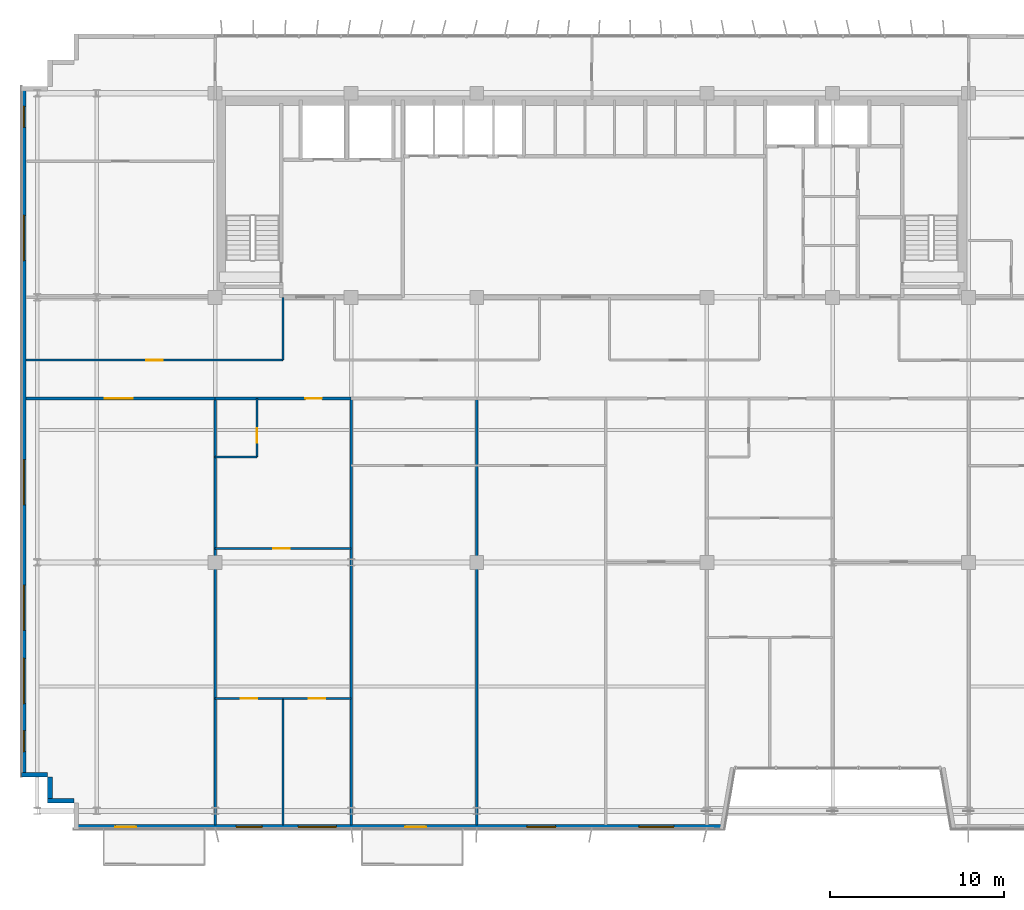
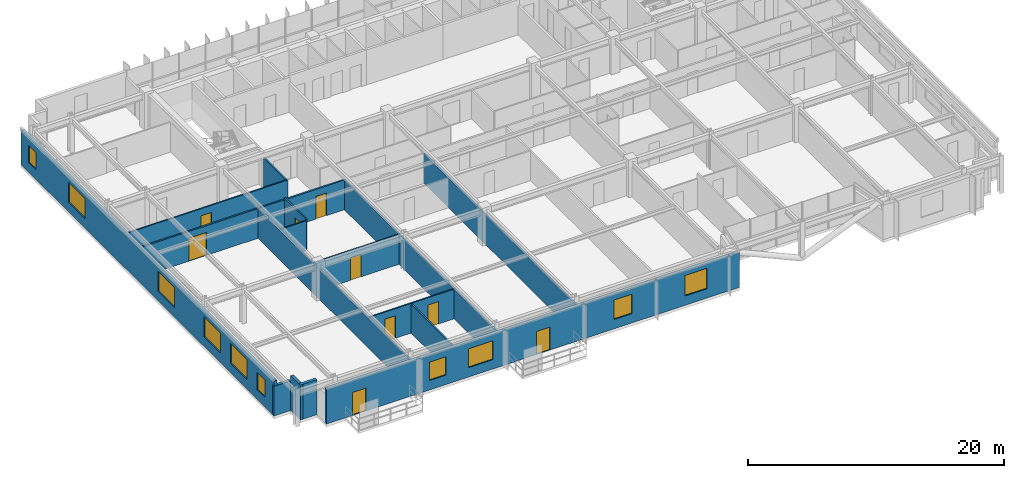
# One storey, part 19 of 26: 18 walls, 10 windows, 9 doors, 19 openings.
"""IFC4 building model written with IfcOpenShell, lengths in metres."""

from ifc_helpers import new_model, si_unit, direction, frame, frame_2d, origin, place, context, subcontext, project, spatial, rectangle, extrude, source, transform, mapped, material, layer, layer_set, type_object, element, fill, save


model = new_model("IFC4")

# Units and contexts
model_context = context("Model", 3, precision=1e-05, world=origin(), true_north=direction((0.0, 1.0)))
body_context = subcontext(model_context, "Body", "Model", "MODEL_VIEW")
ifc_project = project(units=[si_unit("LENGTHUNIT", "METRE"), si_unit("AREAUNIT", "SQUARE_METRE"), si_unit("VOLUMEUNIT", "CUBIC_METRE"), si_unit("PLANEANGLEUNIT", "RADIAN"), si_unit("MASSUNIT", "GRAM", prefix="KILO")], contexts=[model_context])

# Site, building, storey
site_placement = place(None, origin())
site = spatial("IfcSite", under=ifc_project, at=site_placement, CompositionType="ELEMENT")
building_placement = place(site_placement, origin())
building = spatial("IfcBuilding", under=site, at=building_placement, Name="Trelvane Seafront Commons", CompositionType="ELEMENT")
storey_placement = place(building_placement, frame((0.0, 0.0, 124.89990234375)))
storey = spatial("IfcBuildingStorey", under=building, at=storey_placement, Name="L32", CompositionType="ELEMENT", Elevation=124.89990234375)

# Walls
ifc_material_1 = material(Name="Precast concrete C40/50", Category="concrete")
ifc_layer_1 = layer(ifc_material_1, 0.260009765625, Name="ARCH-WALL-EXT260")
ifc_layer_set_1 = layer_set([ifc_layer_1], Name="Precast concrete C40/50")
wall_type_1 = type_object("IfcWallType", Name="ARCH-WALL-EXT260", PredefinedType="SOLIDWALL", material=ifc_layer_set_1)
for number, where, z_axis, x_axis, name in (
    (1, (7.5, 4.530029296875, 0.0), (0.0, 0.0, 1.0), (-1.0, 0.0, 0.0), "EW-L32-00607"),
    (2, (6.1298828125, 4.39990234375, 0.0), (0.0, 0.0, 1.0), (0.0, 1.0, 0.0), "EW-L32-00608"),
):
    element("IfcWall", number, at=place(storey_placement, frame(where, z_axis=z_axis, x_axis=x_axis)), inside=storey, type_object=wall_type_1, Name=name, PredefinedType="SOLIDWALL", context=body_context, shape_type="SweptSolid", body=[
        extrude(rectangle(XDim=1.5, YDim=0.260009765625, at=frame_2d((0.75, 0.0))), origin(), (0.0, 0.0, 1.0), 3.340087890625),
    ])
wall_1_placement = place(storey_placement, frame((6.0, 6.030029296875, 0.0), z_axis=(0.0, 0.0, 1.0), x_axis=(-1.0, 0.0, 0.0)))
element("IfcWall", 3, at=wall_1_placement, inside=storey, type_object=wall_type_1, Name="EW-L32-00609", PredefinedType="SOLIDWALL", context=body_context, shape_type="SweptSolid", body=[
    extrude(rectangle(XDim=1.5, YDim=0.260009765625, at=frame_2d((0.75, 0.0))), origin(), (0.0, 0.0, 1.0), 2.840087890625),
])

# Wall, openings, windows
wall_2_placement = place(storey_placement, frame((4.6298828125, 5.89990234375, 0.0), z_axis=(0.0, 0.0, 1.0), x_axis=(0.0, 1.0, 0.0)))
wall_2 = element("IfcWall", 4, at=wall_2_placement, inside=storey, type_object=wall_type_1, Name="EW-L32-00610", PredefinedType="SOLIDWALL", context=body_context, shape_type="SweptSolid", body=[
    extrude(rectangle(XDim=39.60009765625, YDim=0.260009765625, at=frame_2d((19.800048828125, 0.0))), origin(), (0.0, 0.0, 1.0), 3.340087890625),
])
opening_1_placement = place(wall_2_placement, frame((1.449951171875, 0.0, 0.919921875)))
opening_1 = element("IfcOpeningElement", 5, at=opening_1_placement, cuts=wall_2, Name="Opening W05", PredefinedType="OPENING", context=body_context, shape_type="SweptSolid", body=[
    extrude(rectangle(XDim=1.199951171875, YDim=1.64990234375, at=frame_2d((0.60009765625, 0.824951171875))), frame((0.0, 0.139892578125, 0.0), z_axis=(0.0, -1.0, 0.0), x_axis=(1.0, 0.0, 0.0)), (0.0, 0.0, 1.0), 0.280029296875),
])
opening_2_placement = place(wall_2_placement, frame((4.199951171875, 0.0, 0.919921875)))
opening_2 = element("IfcOpeningElement", 6, at=opening_2_placement, cuts=wall_2, Name="Opening W04", PredefinedType="OPENING", context=body_context, shape_type="SweptSolid", body=[
    extrude(rectangle(XDim=2.60009765625, YDim=1.89990234375, at=frame_2d((1.300048828125, 0.949951171875))), frame((0.0, 0.139892578125, 0.0), z_axis=(0.0, -1.0, 0.0), x_axis=(1.0, 0.0, 0.0)), (0.0, 0.0, 1.0), 0.280029296875),
])
opening_3_placement = place(wall_2_placement, frame((8.39990234375, 0.0, 0.919921875)))
opening_3 = element("IfcOpeningElement", 7, at=opening_3_placement, cuts=wall_2, Name="Opening W04", PredefinedType="OPENING", context=body_context, shape_type="SweptSolid", body=[
    extrude(rectangle(XDim=2.60009765625, YDim=1.89990234375, at=frame_2d((1.300048828125, 0.949951171875))), frame((0.0, 0.139892578125, 0.0), z_axis=(0.0, -1.0, 0.0), x_axis=(1.0, 0.0, 0.0)), (0.0, 0.0, 1.0), 0.280029296875),
])
opening_4_placement = place(wall_2_placement, frame((15.60009765625, 0.0, 0.919921875)))
opening_4 = element("IfcOpeningElement", 8, at=opening_4_placement, cuts=wall_2, Name="Opening W04", PredefinedType="OPENING", context=body_context, shape_type="SweptSolid", body=[
    extrude(rectangle(XDim=2.60009765625, YDim=1.89990234375, at=frame_2d((1.300048828125, 0.949951171875))), frame((0.0, 0.139892578125, 0.0), z_axis=(0.0, -1.0, 0.0), x_axis=(1.0, 0.0, 0.0)), (0.0, 0.0, 1.0), 0.280029296875),
])
opening_5_placement = place(wall_2_placement, frame((29.60009765625, 0.0, 0.919921875)))
opening_5 = element("IfcOpeningElement", 9, at=opening_5_placement, cuts=wall_2, Name="Opening W04", PredefinedType="OPENING", context=body_context, shape_type="SweptSolid", body=[
    extrude(rectangle(XDim=2.60009765625, YDim=1.89990234375, at=frame_2d((1.300048828125, 0.949951171875))), frame((0.0, 0.139892578125, 0.0), z_axis=(0.0, -1.0, 0.0), x_axis=(1.0, 0.0, 0.0)), (0.0, 0.0, 1.0), 0.280029296875),
])
opening_6_placement = place(wall_2_placement, frame((37.25, 0.0, 0.919921875)))
opening_6 = element("IfcOpeningElement", 10, at=opening_6_placement, cuts=wall_2, Name="Opening W05", PredefinedType="OPENING", context=body_context, shape_type="SweptSolid", body=[
    extrude(rectangle(XDim=1.199951171875, YDim=1.64990234375, at=frame_2d((0.60009765625, 0.824951171875))), frame((0.0, 0.139892578125, 0.0), z_axis=(0.0, -1.0, 0.0), x_axis=(1.0, 0.0, 0.0)), (0.0, 0.0, 1.0), 0.280029296875),
])
ifc_material_2 = material(Name="Low-E coastal double glazing", Category="glass")
window_type_1 = type_object("IfcWindowType", Name="ARCH-WIN-W04", PartitioningType="SINGLE_PANEL", PredefinedType="WINDOW", material=ifc_material_2)
shared_shape_1 = source(origin(), body_context, "Body", "SweptSolid", [
    extrude(rectangle(XDim=2.60009765625, YDim=1.89990234375, at=frame_2d((1.300048828125, 0.949951171875))), frame((0.0, 0.030029296875, 0.0), z_axis=(0.0, -1.0, 0.0), x_axis=(1.0, 0.0, 0.0)), (0.0, 0.0, 1.0), 0.06005859375),
])
window_1_placement = place(opening_2_placement, origin())
window_1 = element("IfcWindow", 11, at=window_1_placement, inside=storey, type_object=window_type_1, Name="WIN-L32-EW-00722", OverallHeight=1.89990234375, OverallWidth=2.60009765625, PartitioningType="SINGLE_PANEL", PredefinedType="WINDOW", context=body_context, shape_type="MappedRepresentation", body=[
    mapped(shared_shape_1, transform((0.0, 0.0, 0.0), x_axis=(1.0, 0.0, 0.0), y_axis=(0.0, 1.0, 0.0), z_axis=(0.0, 0.0, 1.0), scale=1.0)),
])
fill(opening_2, window_1)
window_2_placement = place(opening_3_placement, origin())
window_2 = element("IfcWindow", 12, at=window_2_placement, inside=storey, type_object=window_type_1, Name="WIN-L32-EW-00723", OverallHeight=1.89990234375, OverallWidth=2.60009765625, PartitioningType="SINGLE_PANEL", PredefinedType="WINDOW", context=body_context, shape_type="MappedRepresentation", body=[
    mapped(shared_shape_1, transform((0.0, 0.0, 0.0), x_axis=(1.0, 0.0, 0.0), y_axis=(0.0, 1.0, 0.0), z_axis=(0.0, 0.0, 1.0), scale=1.0)),
])
fill(opening_3, window_2)
window_3_placement = place(opening_4_placement, origin())
window_3 = element("IfcWindow", 13, at=window_3_placement, inside=storey, type_object=window_type_1, Name="WIN-L32-EW-00724", OverallHeight=1.89990234375, OverallWidth=2.60009765625, PartitioningType="SINGLE_PANEL", PredefinedType="WINDOW", context=body_context, shape_type="MappedRepresentation", body=[
    mapped(shared_shape_1, transform((0.0, 0.0, 0.0), x_axis=(1.0, 0.0, 0.0), y_axis=(0.0, 1.0, 0.0), z_axis=(0.0, 0.0, 1.0), scale=1.0)),
])
fill(opening_4, window_3)
window_4_placement = place(opening_5_placement, origin())
window_4 = element("IfcWindow", 14, at=window_4_placement, inside=storey, type_object=window_type_1, Name="WIN-L32-EW-00725", OverallHeight=1.89990234375, OverallWidth=2.60009765625, PartitioningType="SINGLE_PANEL", PredefinedType="WINDOW", context=body_context, shape_type="MappedRepresentation", body=[
    mapped(shared_shape_1, transform((0.0, 0.0, 0.0), x_axis=(1.0, 0.0, 0.0), y_axis=(0.0, 1.0, 0.0), z_axis=(0.0, 0.0, 1.0), scale=1.0)),
])
fill(opening_5, window_4)
window_type_2 = type_object("IfcWindowType", Name="ARCH-WIN-W05", PartitioningType="SINGLE_PANEL", PredefinedType="WINDOW", material=ifc_material_2)
shared_shape_2 = source(origin(), body_context, "Body", "SweptSolid", [
    extrude(rectangle(XDim=1.199951171875, YDim=1.64990234375, at=frame_2d((0.60009765625, 0.824951171875))), frame((0.0, 0.030029296875, 0.0), z_axis=(0.0, -1.0, 0.0), x_axis=(1.0, 0.0, 0.0)), (0.0, 0.0, 1.0), 0.06005859375),
])
window_5_placement = place(opening_1_placement, origin())
window_5 = element("IfcWindow", 15, at=window_5_placement, inside=storey, type_object=window_type_2, Name="WIN-L32-EW-00721", OverallHeight=1.64990234375, OverallWidth=1.199951171875, PartitioningType="SINGLE_PANEL", PredefinedType="WINDOW", context=body_context, shape_type="MappedRepresentation", body=[
    mapped(shared_shape_2, transform((0.0, 0.0, 0.0), x_axis=(1.0, 0.0, 0.0), y_axis=(0.0, 1.0, 0.0), z_axis=(0.0, 0.0, 1.0), scale=1.0)),
])
fill(opening_1, window_5)
window_6_placement = place(opening_6_placement, origin())
window_6 = element("IfcWindow", 16, at=window_6_placement, inside=storey, type_object=window_type_2, Name="WIN-L32-EW-00726", OverallHeight=1.64990234375, OverallWidth=1.199951171875, PartitioningType="SINGLE_PANEL", PredefinedType="WINDOW", context=body_context, shape_type="MappedRepresentation", body=[
    mapped(shared_shape_2, transform((0.0, 0.0, 0.0), x_axis=(1.0, 0.0, 0.0), y_axis=(0.0, 1.0, 0.0), z_axis=(0.0, 0.0, 1.0), scale=1.0)),
])
fill(opening_6, window_6)

# Wall, openings, doors, windows
wall_3_placement = place(storey_placement, frame((44.800048828125, 3.030029296875, 0.0), z_axis=(0.0, 0.0, 1.0), x_axis=(-1.0, 0.0, 0.0)))
wall_3 = element("IfcWall", 17, at=wall_3_placement, inside=storey, type_object=wall_type_1, Name="EW-L32-00627", PredefinedType="SOLIDWALL", context=body_context, shape_type="SweptSolid", body=[
    extrude(rectangle(XDim=37.300048828125, YDim=0.260009765625, at=frame_2d((18.64990234375, 0.0))), origin(), (0.0, 0.0, 1.0), 3.340087890625),
])
opening_7_placement = place(wall_3_placement, frame((2.89990234375, 0.0, 0.89990234375)))
opening_7 = element("IfcOpeningElement", 18, at=opening_7_placement, cuts=wall_3, Name="Opening W06", PredefinedType="OPENING", context=body_context, shape_type="SweptSolid", body=[
    extrude(rectangle(XDim=2.0, YDim=1.949951171875, at=frame_2d((1.0, 0.97509765625))), frame((0.0, 0.139892578125, 0.0), z_axis=(0.0, -1.0, 0.0), x_axis=(1.0, 0.0, 0.0)), (0.0, 0.0, 1.0), 0.280029296875),
])
opening_8_placement = place(wall_3_placement, frame((9.675048828125, 0.0, 0.89990234375)))
opening_8 = element("IfcOpeningElement", 19, at=opening_8_placement, cuts=wall_3, Name="Opening W07", PredefinedType="OPENING", context=body_context, shape_type="SweptSolid", body=[
    extrude(rectangle(XDim=1.64990234375, YDim=1.85009765625, at=frame_2d((0.824951171875, 0.925048828125))), frame((0.0, 0.139892578125, 0.0), z_axis=(0.0, -1.0, 0.0), x_axis=(1.0, 0.0, 0.0)), (0.0, 0.0, 1.0), 0.280029296875),
])
opening_9_placement = place(wall_3_placement, frame((17.10888671875, 0.0, 0.0)))
opening_9 = element("IfcOpeningElement", 20, at=opening_9_placement, cuts=wall_3, Name="Opening BD-L32-77", PredefinedType="OPENING", context=body_context, shape_type="SweptSolid", body=[
    extrude(rectangle(XDim=1.199951171875, YDim=2.199951171875, at=frame_2d((0.60009765625, 1.10009765625))), frame((0.0, 0.139892578125, 0.0), z_axis=(0.0, -1.0, 0.0), x_axis=(1.0, 0.0, 0.0)), (0.0, 0.0, 1.0), 0.280029296875),
])
opening_10_placement = place(wall_3_placement, frame((22.25, 0.0, 0.89990234375)))
opening_10 = element("IfcOpeningElement", 21, at=opening_10_placement, cuts=wall_3, Name="Opening W02", PredefinedType="OPENING", context=body_context, shape_type="SweptSolid", body=[
    extrude(rectangle(XDim=2.199951171875, YDim=1.800048828125, at=frame_2d((1.10009765625, 0.89990234375))), frame((0.0, 0.139892578125, 0.0), z_axis=(0.0, -1.0, 0.0), x_axis=(1.0, 0.0, 0.0)), (0.0, 0.0, 1.0), 0.280029296875),
])
opening_11_placement = place(wall_3_placement, frame((26.5, 0.0, 0.89990234375)))
opening_11 = element("IfcOpeningElement", 22, at=opening_11_placement, cuts=wall_3, Name="Opening W03", PredefinedType="OPENING", context=body_context, shape_type="SweptSolid", body=[
    extrude(rectangle(XDim=1.5, YDim=1.75, at=frame_2d((0.75, 0.875))), frame((0.0, 0.139892578125, 0.0), z_axis=(0.0, -1.0, 0.0), x_axis=(1.0, 0.0, 0.0)), (0.0, 0.0, 1.0), 0.280029296875),
])
opening_12_placement = place(wall_3_placement, frame((33.72705078125, 0.0, 0.0)))
opening_12 = element("IfcOpeningElement", 23, at=opening_12_placement, cuts=wall_3, Name="Opening BD-L32-78", PredefinedType="OPENING", context=body_context, shape_type="SweptSolid", body=[
    extrude(rectangle(XDim=1.199951171875, YDim=2.199951171875, at=frame_2d((0.60009765625, 1.10009765625))), frame((0.0, 0.139892578125, 0.0), z_axis=(0.0, -1.0, 0.0), x_axis=(1.0, 0.0, 0.0)), (0.0, 0.0, 1.0), 0.280029296875),
])
ifc_material_3 = material(Name="Powder-coated aluminium frame", Category="aluminium")
door_type_1 = type_object("IfcDoorType", Name="ARCH-DR-BAL1200", OperationType="NOTDEFINED", PredefinedType="DOOR", material=ifc_material_3)
shared_shape_3 = source(origin(), body_context, "Body", "SweptSolid", [
    extrude(rectangle(XDim=1.199951171875, YDim=2.199951171875, at=frame_2d((0.60009765625, 1.10009765625))), frame((0.0, 0.02490234375, 0.0), z_axis=(0.0, -1.0, 0.0), x_axis=(1.0, 0.0, 0.0)), (0.0, 0.0, 1.0), 0.050048828125),
])
door_1_placement = place(opening_9_placement, origin())
door_1 = element("IfcDoor", 24, at=door_1_placement, inside=storey, type_object=door_type_1, Name="L32 Balcony Terrace Access Door", OperationType="SINGLE_SWING_LEFT", OverallHeight=2.199951171875, OverallWidth=1.199951171875, PredefinedType="DOOR", context=body_context, shape_type="MappedRepresentation", body=[
    mapped(shared_shape_3, transform((0.0, 0.0, 0.0), x_axis=(1.0, 0.0, 0.0), y_axis=(0.0, 1.0, 0.0), z_axis=(0.0, 0.0, 1.0), scale=1.0)),
])
fill(opening_9, door_1)
door_2_placement = place(opening_12_placement, origin())
door_2 = element("IfcDoor", 25, at=door_2_placement, inside=storey, type_object=door_type_1, Name="L32 Balcony Terrace Access Door", OperationType="SINGLE_SWING_LEFT", OverallHeight=2.199951171875, OverallWidth=1.199951171875, PredefinedType="DOOR", context=body_context, shape_type="MappedRepresentation", body=[
    mapped(shared_shape_3, transform((0.0, 0.0, 0.0), x_axis=(1.0, 0.0, 0.0), y_axis=(0.0, 1.0, 0.0), z_axis=(0.0, 0.0, 1.0), scale=1.0)),
])
fill(opening_12, door_2)
window_type_3 = type_object("IfcWindowType", Name="ARCH-WIN-W02", PartitioningType="SINGLE_PANEL", PredefinedType="WINDOW", material=ifc_material_2)
shared_shape_4 = source(origin(), body_context, "Body", "SweptSolid", [
    extrude(rectangle(XDim=2.199951171875, YDim=1.800048828125, at=frame_2d((1.10009765625, 0.89990234375))), frame((0.0, 0.030029296875, 0.0), z_axis=(0.0, -1.0, 0.0), x_axis=(1.0, 0.0, 0.0)), (0.0, 0.0, 1.0), 0.06005859375),
])
window_7_placement = place(opening_10_placement, origin())
window_7 = element("IfcWindow", 26, at=window_7_placement, inside=storey, type_object=window_type_3, Name="WIN-L32-00737", OverallHeight=1.800048828125, OverallWidth=2.199951171875, PartitioningType="SINGLE_PANEL", PredefinedType="WINDOW", context=body_context, shape_type="MappedRepresentation", body=[
    mapped(shared_shape_4, transform((0.0, 0.0, 0.0), x_axis=(1.0, 0.0, 0.0), y_axis=(0.0, 1.0, 0.0), z_axis=(0.0, 0.0, 1.0), scale=1.0)),
])
fill(opening_10, window_7)
window_type_4 = type_object("IfcWindowType", Name="ARCH-WIN-W03", PartitioningType="SINGLE_PANEL", PredefinedType="WINDOW", material=ifc_material_2)
shared_shape_5 = source(origin(), body_context, "Body", "SweptSolid", [
    extrude(rectangle(XDim=1.5, YDim=1.75, at=frame_2d((0.75, 0.875))), frame((0.0, 0.030029296875, 0.0), z_axis=(0.0, -1.0, 0.0), x_axis=(1.0, 0.0, 0.0)), (0.0, 0.0, 1.0), 0.06005859375),
])
window_8_placement = place(opening_11_placement, origin())
window_8 = element("IfcWindow", 27, at=window_8_placement, inside=storey, type_object=window_type_4, Name="WIN-L32-00738", OverallHeight=1.75, OverallWidth=1.5, PartitioningType="SINGLE_PANEL", PredefinedType="WINDOW", context=body_context, shape_type="MappedRepresentation", body=[
    mapped(shared_shape_5, transform((0.0, 0.0, 0.0), x_axis=(1.0, 0.0, 0.0), y_axis=(0.0, 1.0, 0.0), z_axis=(0.0, 0.0, 1.0), scale=1.0)),
])
fill(opening_11, window_8)
window_type_5 = type_object("IfcWindowType", Name="ARCH-WIN-W06", PartitioningType="SINGLE_PANEL", PredefinedType="WINDOW", material=ifc_material_2)
shared_shape_6 = source(origin(), body_context, "Body", "SweptSolid", [
    extrude(rectangle(XDim=2.0, YDim=1.949951171875, at=frame_2d((1.0, 0.97509765625))), frame((0.0, 0.030029296875, 0.0), z_axis=(0.0, -1.0, 0.0), x_axis=(1.0, 0.0, 0.0)), (0.0, 0.0, 1.0), 0.06005859375),
])
window_9_placement = place(opening_7_placement, origin())
window_9 = element("IfcWindow", 28, at=window_9_placement, inside=storey, type_object=window_type_5, Name="WIN-L32-00735", OverallHeight=1.949951171875, OverallWidth=2.0, PartitioningType="SINGLE_PANEL", PredefinedType="WINDOW", context=body_context, shape_type="MappedRepresentation", body=[
    mapped(shared_shape_6, transform((0.0, 0.0, 0.0), x_axis=(1.0, 0.0, 0.0), y_axis=(0.0, 1.0, 0.0), z_axis=(0.0, 0.0, 1.0), scale=1.0)),
])
fill(opening_7, window_9)
window_type_6 = type_object("IfcWindowType", Name="ARCH-WIN-W07", PartitioningType="SINGLE_PANEL", PredefinedType="WINDOW", material=ifc_material_2)
shared_shape_7 = source(origin(), body_context, "Body", "SweptSolid", [
    extrude(rectangle(XDim=1.64990234375, YDim=1.85009765625, at=frame_2d((0.824951171875, 0.925048828125))), frame((0.0, 0.030029296875, 0.0), z_axis=(0.0, -1.0, 0.0), x_axis=(1.0, 0.0, 0.0)), (0.0, 0.0, 1.0), 0.06005859375),
])
window_10_placement = place(opening_8_placement, origin())
window_10 = element("IfcWindow", 29, at=window_10_placement, inside=storey, type_object=window_type_6, Name="WIN-L32-00736", OverallHeight=1.85009765625, OverallWidth=1.64990234375, PartitioningType="SINGLE_PANEL", PredefinedType="WINDOW", context=body_context, shape_type="MappedRepresentation", body=[
    mapped(shared_shape_7, transform((0.0, 0.0, 0.0), x_axis=(1.0, 0.0, 0.0), y_axis=(0.0, 1.0, 0.0), z_axis=(0.0, 0.0, 1.0), scale=1.0)),
])
fill(opening_8, window_10)

# Wall, opening, door
ifc_material_4 = material(Name="Gypsum Drywall Acoustic Partition")
ifc_layer_2 = layer(ifc_material_4, 0.1201171875, Name="ARCH-WALL-PART120")
ifc_layer_set_2 = layer_set([ifc_layer_2], Name="Gypsum Drywall Acoustic Partition")
wall_type_2 = type_object("IfcWallType", Name="ARCH-WALL-PART120", PredefinedType="PARTITIONING", material=ifc_layer_set_2)
wall_4_placement = place(storey_placement, frame((4.75, 29.800048828125, 0.0), z_axis=(0.0, 0.0, 1.0), x_axis=(1.0, 0.0, 0.0)))
wall_4 = element("IfcWall", 30, at=wall_4_placement, inside=storey, type_object=wall_type_2, Name="W-L32-CORR-N-W-039", PredefinedType="PARTITIONING", context=body_context, shape_type="SweptSolid", body=[
    extrude(rectangle(XDim=14.75, YDim=0.1201171875, at=frame_2d((7.375, 0.0))), origin(), (0.0, 0.0, 1.0), 2.840087890625),
])
opening_13_placement = place(wall_4_placement, frame((6.89990234375, 0.0, 0.0)))
opening_13 = element("IfcOpeningElement", 31, at=opening_13_placement, cuts=wall_4, Name="Opening D-L32-19", PredefinedType="OPENING", context=body_context, shape_type="SweptSolid", body=[
    extrude(rectangle(XDim=0.949951171875, YDim=2.14990234375, at=frame_2d((0.47509765625, 1.074951171875))), frame((0.0, 0.070068359375, 0.0), z_axis=(0.0, -1.0, 0.0), x_axis=(1.0, 0.0, 0.0)), (0.0, 0.0, 1.0), 0.14013671875),
])
ifc_material_5 = material(Name="Acoustic timber door leaf", Category="wood")
door_type_2 = type_object("IfcDoorType", Name="ARCH-DR-INT950", OperationType="NOTDEFINED", PredefinedType="DOOR", material=ifc_material_5)
shared_shape_8 = source(origin(), body_context, "Body", "SweptSolid", [
    extrude(rectangle(XDim=0.949951171875, YDim=2.14990234375, at=frame_2d((0.47509765625, 1.074951171875))), frame((0.0, 0.02490234375, 0.0), z_axis=(0.0, -1.0, 0.0), x_axis=(1.0, 0.0, 0.0)), (0.0, 0.0, 1.0), 0.050048828125),
])
door_3_placement = place(opening_13_placement, origin())
door_3 = element("IfcDoor", 32, at=door_3_placement, inside=storey, type_object=door_type_2, Name="L32 Door 19", OperationType="SINGLE_SWING_LEFT", OverallHeight=2.14990234375, OverallWidth=0.949951171875, PredefinedType="DOOR", context=body_context, shape_type="MappedRepresentation", body=[
    mapped(shared_shape_8, transform((0.0, 0.0, 0.0), x_axis=(1.0, 0.0, 0.0), y_axis=(0.0, 1.0, 0.0), z_axis=(0.0, 0.0, 1.0), scale=1.0)),
])
fill(opening_13, door_3)

# Wall
wall_5_placement = place(storey_placement, frame((19.5, 29.800048828125, 0.0), z_axis=(0.0, 0.0, 1.0), x_axis=(0.0, 1.0, 0.0)))
element("IfcWall", 33, at=wall_5_placement, inside=storey, type_object=wall_type_2, Name="W-L32-N-SPUR-W1-044", PredefinedType="PARTITIONING", context=body_context, shape_type="SweptSolid", body=[
    extrude(rectangle(XDim=3.599853515625, YDim=0.1201171875, at=frame_2d((1.7998046875, 0.0))), origin(), (0.0, 0.0, 1.0), 2.752197265625),
])

# Wall, opening, door
wall_6_placement = place(storey_placement, frame((15.60009765625, 19.0, 0.0), z_axis=(0.0, 0.0, 1.0), x_axis=(1.0, 0.0, 0.0)))
wall_6 = element("IfcWall", 34, at=wall_6_placement, inside=storey, type_object=wall_type_2, Name="W-L32-U2-KL-070", PredefinedType="PARTITIONING", context=body_context, shape_type="SweptSolid", body=[
    extrude(rectangle(XDim=7.7998046875, YDim=0.1201171875, at=frame_2d((3.89990234375, 0.0))), origin(), (0.0, 0.0, 1.0), 2.840087890625),
])
opening_14_placement = place(wall_6_placement, frame((3.3330078125, 0.0, 0.0)))
opening_14 = element("IfcOpeningElement", 35, at=opening_14_placement, cuts=wall_6, Name="Opening D-L32-34", PredefinedType="OPENING", context=body_context, shape_type="SweptSolid", body=[
    extrude(rectangle(XDim=0.949951171875, YDim=2.14990234375, at=frame_2d((0.47509765625, 1.074951171875))), frame((0.0, 0.070068359375, 0.0), z_axis=(0.0, -1.0, 0.0), x_axis=(1.0, 0.0, 0.0)), (0.0, 0.0, 1.0), 0.14013671875),
])
door_4_placement = place(opening_14_placement, origin())
door_4 = element("IfcDoor", 36, at=door_4_placement, inside=storey, type_object=door_type_2, Name="L32 Door 34", OperationType="SINGLE_SWING_RIGHT", OverallHeight=2.14990234375, OverallWidth=0.949951171875, PredefinedType="DOOR", context=body_context, shape_type="MappedRepresentation", body=[
    mapped(shared_shape_8, transform((0.0, 0.0, 0.0), x_axis=(1.0, 0.0, 0.0), y_axis=(0.0, 1.0, 0.0), z_axis=(0.0, 0.0, 1.0), scale=1.0)),
])
fill(opening_14, door_4)

wall_7_placement = place(storey_placement, frame((18.0, 24.25, 0.0), z_axis=(0.0, 0.0, 1.0), x_axis=(0.0, 1.0, 0.0)))
wall_7 = element("IfcWall", 37, at=wall_7_placement, inside=storey, type_object=wall_type_2, Name="W-L32-U2-BE-071", PredefinedType="PARTITIONING", context=body_context, shape_type="SweptSolid", body=[
    extrude(rectangle(XDim=3.35009765625, YDim=0.1201171875, at=frame_2d((1.675048828125, 0.0))), origin(), (0.0, 0.0, 1.0), 2.989990234375),
])
opening_15_placement = place(wall_7_placement, frame((0.800048828125, 0.0, 0.0)))
opening_15 = element("IfcOpeningElement", 38, at=opening_15_placement, cuts=wall_7, Name="Opening D-L32-35", PredefinedType="OPENING", context=body_context, shape_type="SweptSolid", body=[
    extrude(rectangle(XDim=0.85009765625, YDim=2.10009765625, at=frame_2d((0.425048828125, 1.050048828125))), frame((0.0, 0.070068359375, 0.0), z_axis=(0.0, -1.0, 0.0), x_axis=(1.0, 0.0, 0.0)), (0.0, 0.0, 1.0), 0.14013671875),
])
door_type_3 = type_object("IfcDoorType", Name="ARCH-DR-INT850", OperationType="NOTDEFINED", PredefinedType="DOOR", material=ifc_material_5)
shared_shape_9 = source(origin(), body_context, "Body", "SweptSolid", [
    extrude(rectangle(XDim=0.85009765625, YDim=2.10009765625, at=frame_2d((0.425048828125, 1.050048828125))), frame((0.0, 0.02490234375, 0.0), z_axis=(0.0, -1.0, 0.0), x_axis=(1.0, 0.0, 0.0)), (0.0, 0.0, 1.0), 0.050048828125),
])
door_5_placement = place(opening_15_placement, origin())
door_5 = element("IfcDoor", 39, at=door_5_placement, inside=storey, type_object=door_type_3, Name="L32 Door 35", OperationType="SINGLE_SWING_LEFT", OverallHeight=2.10009765625, OverallWidth=0.85009765625, PredefinedType="DOOR", context=body_context, shape_type="MappedRepresentation", body=[
    mapped(shared_shape_9, transform((0.0, 0.0, 0.0), x_axis=(1.0, 0.0, 0.0), y_axis=(0.0, 1.0, 0.0), z_axis=(0.0, 0.0, 1.0), scale=1.0)),
])
fill(opening_15, door_5)

# Wall
wall_8_placement = place(storey_placement, frame((15.60009765625, 24.25, 0.0), z_axis=(0.0, 0.0, 1.0), x_axis=(1.0, 0.0, 0.0)))
element("IfcWall", 40, at=wall_8_placement, inside=storey, type_object=wall_type_2, Name="W-L32-U2-BS-072", PredefinedType="PARTITIONING", context=body_context, shape_type="SweptSolid", body=[
    extrude(rectangle(XDim=2.39990234375, YDim=0.1201171875, at=frame_2d((1.199951171875, 0.0))), origin(), (0.0, 0.0, 1.0), 2.840087890625),
])

# Wall, opening, door
wall_9_placement = place(storey_placement, frame((15.60009765625, 10.39990234375, 0.0), z_axis=(0.0, 0.0, 1.0), x_axis=(1.0, 0.0, 0.0)))
wall_9 = element("IfcWall", 41, at=wall_9_placement, inside=storey, type_object=wall_type_2, Name="W-L32-U2-YM-1-074", PredefinedType="PARTITIONING", context=body_context, shape_type="SweptSolid", body=[
    extrude(rectangle(XDim=3.89990234375, YDim=0.1201171875, at=frame_2d((1.949951171875, 0.0))), origin(), (0.0, 0.0, 1.0), 2.840087890625),
])
opening_16_placement = place(wall_9_placement, frame((1.47509765625, 0.0, 0.0)))
opening_16 = element("IfcOpeningElement", 42, at=opening_16_placement, cuts=wall_9, Name="Opening D-L32-37", PredefinedType="OPENING", context=body_context, shape_type="SweptSolid", body=[
    extrude(rectangle(XDim=0.949951171875, YDim=2.14990234375, at=frame_2d((0.47509765625, 1.074951171875))), frame((0.0, 0.070068359375, 0.0), z_axis=(0.0, -1.0, 0.0), x_axis=(1.0, 0.0, 0.0)), (0.0, 0.0, 1.0), 0.14013671875),
])
door_6_placement = place(opening_16_placement, origin())
door_6 = element("IfcDoor", 43, at=door_6_placement, inside=storey, type_object=door_type_2, Name="L32 Door 37", OperationType="SINGLE_SWING_LEFT", OverallHeight=2.14990234375, OverallWidth=0.949951171875, PredefinedType="DOOR", context=body_context, shape_type="MappedRepresentation", body=[
    mapped(shared_shape_8, transform((0.0, 0.0, 0.0), x_axis=(1.0, 0.0, 0.0), y_axis=(0.0, 1.0, 0.0), z_axis=(0.0, 0.0, 1.0), scale=1.0)),
])
fill(opening_16, door_6)

wall_10_placement = place(storey_placement, frame((19.5, 10.39990234375, 0.0), z_axis=(0.0, 0.0, 1.0), x_axis=(1.0, 0.0, 0.0)))
wall_10 = element("IfcWall", 44, at=wall_10_placement, inside=storey, type_object=wall_type_2, Name="W-L32-U2-YM-2-075", PredefinedType="PARTITIONING", context=body_context, shape_type="SweptSolid", body=[
    extrude(rectangle(XDim=3.89990234375, YDim=0.1201171875, at=frame_2d((1.949951171875, 0.0))), origin(), (0.0, 0.0, 1.0), 2.840087890625),
])
opening_17_placement = place(wall_10_placement, frame((1.47509765625, 0.0, 0.0)))
opening_17 = element("IfcOpeningElement", 45, at=opening_17_placement, cuts=wall_10, Name="Opening D-L32-38", PredefinedType="OPENING", context=body_context, shape_type="SweptSolid", body=[
    extrude(rectangle(XDim=0.949951171875, YDim=2.14990234375, at=frame_2d((0.47509765625, 1.074951171875))), frame((0.0, 0.070068359375, 0.0), z_axis=(0.0, -1.0, 0.0), x_axis=(1.0, 0.0, 0.0)), (0.0, 0.0, 1.0), 0.14013671875),
])
door_7_placement = place(opening_17_placement, origin())
door_7 = element("IfcDoor", 46, at=door_7_placement, inside=storey, type_object=door_type_2, Name="L32 Door 38", OperationType="SINGLE_SWING_RIGHT", OverallHeight=2.14990234375, OverallWidth=0.949951171875, PredefinedType="DOOR", context=body_context, shape_type="MappedRepresentation", body=[
    mapped(shared_shape_8, transform((0.0, 0.0, 0.0), x_axis=(1.0, 0.0, 0.0), y_axis=(0.0, 1.0, 0.0), z_axis=(0.0, 0.0, 1.0), scale=1.0)),
])
fill(opening_17, door_7)

# Walls
wall_11_placement = place(storey_placement, frame((19.5, 3.14501953125, 0.0), z_axis=(0.0, 0.0, 1.0), x_axis=(0.0, 1.0, 0.0)))
element("IfcWall", 47, at=wall_11_placement, inside=storey, type_object=wall_type_2, Name="W-L32-U2-BDV-1-076", PredefinedType="PARTITIONING", context=body_context, shape_type="SweptSolid", body=[
    extrude(rectangle(XDim=7.2548828125, YDim=0.1201171875, at=frame_2d((3.62744140625, 0.0))), origin(), (0.0, 0.0, 1.0), 2.752197265625),
])
ifc_layer_3 = layer(ifc_material_4, 0.14990234375, Name="ARCH-WALL-PART150")
ifc_layer_set_3 = layer_set([ifc_layer_3], Name="Gypsum Drywall Acoustic Partition")
wall_type_3 = type_object("IfcWallType", Name="ARCH-WALL-PART150", PredefinedType="PARTITIONING", material=ifc_layer_set_3)
for number, where, z_axis, x_axis, name in (
    (48, (15.60009765625, 3.14501953125, 0.0), (0.0, 0.0, 1.0), (0.0, 1.0, 0.0), "W-L32-PW-1-061"),
    (49, (23.39990234375, 3.14501953125, 0.0), (0.0, 0.0, 1.0), (0.0, 1.0, 0.0), "W-L32-PW-2-062"),
    (50, (30.60009765625, 3.14501953125, 0.0), (0.0, 0.0, 1.0), (0.0, 1.0, 0.0), "W-L32-PW-3-063"),
):
    element("IfcWall", number, at=place(storey_placement, frame(where, z_axis=z_axis, x_axis=x_axis)), inside=storey, type_object=wall_type_3, Name=name, PredefinedType="PARTITIONING", context=body_context, shape_type="SweptSolid", body=[
        extrude(rectangle(XDim=24.455078125, YDim=0.14990234375, at=frame_2d((12.2275390625, 0.0))), origin(), (0.0, 0.0, 1.0), 2.840087890625),
    ])

# Wall, opening, door
wall_12_placement = place(storey_placement, frame((4.7451171875, 27.60009765625, 0.0), z_axis=(0.0, 0.0, 1.0), x_axis=(1.0, 0.0, 0.0)))
wall_12 = element("IfcWall", 51, at=wall_12_placement, inside=storey, type_object=wall_type_3, Name="W-L32-CS-BAY-1-069", PredefinedType="PARTITIONING", context=body_context, shape_type="SweptSolid", body=[
    extrude(rectangle(XDim=10.85498046875, YDim=0.14990234375, at=frame_2d((5.427490234375, 0.0))), origin(), (0.0, 0.0, 1.0), 2.840087890625),
])
opening_18_placement = place(wall_12_placement, frame((4.537109375, 0.0, 0.0)))
opening_18 = element("IfcOpeningElement", 52, at=opening_18_placement, cuts=wall_12, Name="Opening D-L32-33", PredefinedType="OPENING", context=body_context, shape_type="SweptSolid", body=[
    extrude(rectangle(XDim=1.60009765625, YDim=2.199951171875, at=frame_2d((0.800048828125, 1.10009765625))), frame((0.0, 0.0849609375, 0.0), z_axis=(0.0, -1.0, 0.0), x_axis=(1.0, 0.0, 0.0)), (0.0, 0.0, 1.0), 0.169921875),
])
door_type_4 = type_object("IfcDoorType", Name="ARCH-DR-GLZ1600", OperationType="DOUBLE_DOOR_SINGLE_SWING", PredefinedType="DOOR", material=ifc_material_5)
shared_shape_10 = source(origin(), body_context, "Body", "SweptSolid", [
    extrude(rectangle(XDim=1.60009765625, YDim=2.199951171875, at=frame_2d((0.800048828125, 1.10009765625))), frame((0.0, 0.02490234375, 0.0), z_axis=(0.0, -1.0, 0.0), x_axis=(1.0, 0.0, 0.0)), (0.0, 0.0, 1.0), 0.050048828125),
])
door_8_placement = place(opening_18_placement, origin())
door_8 = element("IfcDoor", 53, at=door_8_placement, inside=storey, type_object=door_type_4, Name="L32 Commons Lounge 01 Door", OperationType="DOUBLE_DOOR_SINGLE_SWING", OverallHeight=2.199951171875, OverallWidth=1.60009765625, PredefinedType="DOOR", context=body_context, shape_type="MappedRepresentation", body=[
    mapped(shared_shape_10, transform((0.0, 0.0, 0.0), x_axis=(1.0, 0.0, 0.0), y_axis=(0.0, 1.0, 0.0), z_axis=(0.0, 0.0, 1.0), scale=1.0)),
])
fill(opening_18, door_8)

wall_13_placement = place(storey_placement, frame((15.60009765625, 27.60009765625, 0.0), z_axis=(0.0, 0.0, 1.0), x_axis=(1.0, 0.0, 0.0)))
wall_13 = element("IfcWall", 54, at=wall_13_placement, inside=storey, type_object=wall_type_3, Name="W-L32-CS-BAY-2-073", PredefinedType="PARTITIONING", context=body_context, shape_type="SweptSolid", body=[
    extrude(rectangle(XDim=7.7998046875, YDim=0.14990234375, at=frame_2d((3.89990234375, 0.0))), origin(), (0.0, 0.0, 1.0), 2.840087890625),
])
opening_19_placement = place(wall_13_placement, frame((5.172119140625, 0.0, 0.0)))
opening_19 = element("IfcOpeningElement", 55, at=opening_19_placement, cuts=wall_13, Name="Opening FD-L32-36", PredefinedType="OPENING", context=body_context, shape_type="SweptSolid", body=[
    extrude(rectangle(XDim=0.949951171875, YDim=2.14990234375, at=frame_2d((0.47509765625, 1.074951171875))), frame((0.0, 0.0849609375, 0.0), z_axis=(0.0, -1.0, 0.0), x_axis=(1.0, 0.0, 0.0)), (0.0, 0.0, 1.0), 0.169921875),
])
door_type_5 = type_object("IfcDoorType", Name="ARCH-DR-FD60-950", OperationType="NOTDEFINED", PredefinedType="DOOR", material=ifc_material_3)
door_9_placement = place(opening_19_placement, origin())
door_9 = element("IfcDoor", 56, at=door_9_placement, inside=storey, type_object=door_type_5, Name="L32 Unit 02 Entrance Door", OperationType="SINGLE_SWING_RIGHT", OverallHeight=2.14990234375, OverallWidth=0.949951171875, PredefinedType="DOOR", context=body_context, shape_type="MappedRepresentation", body=[
    mapped(shared_shape_8, transform((0.0, 0.0, 0.0), x_axis=(1.0, 0.0, 0.0), y_axis=(0.0, 1.0, 0.0), z_axis=(0.0, 0.0, 1.0), scale=1.0)),
])
fill(opening_19, door_9)

save(model, "model.ifc")
